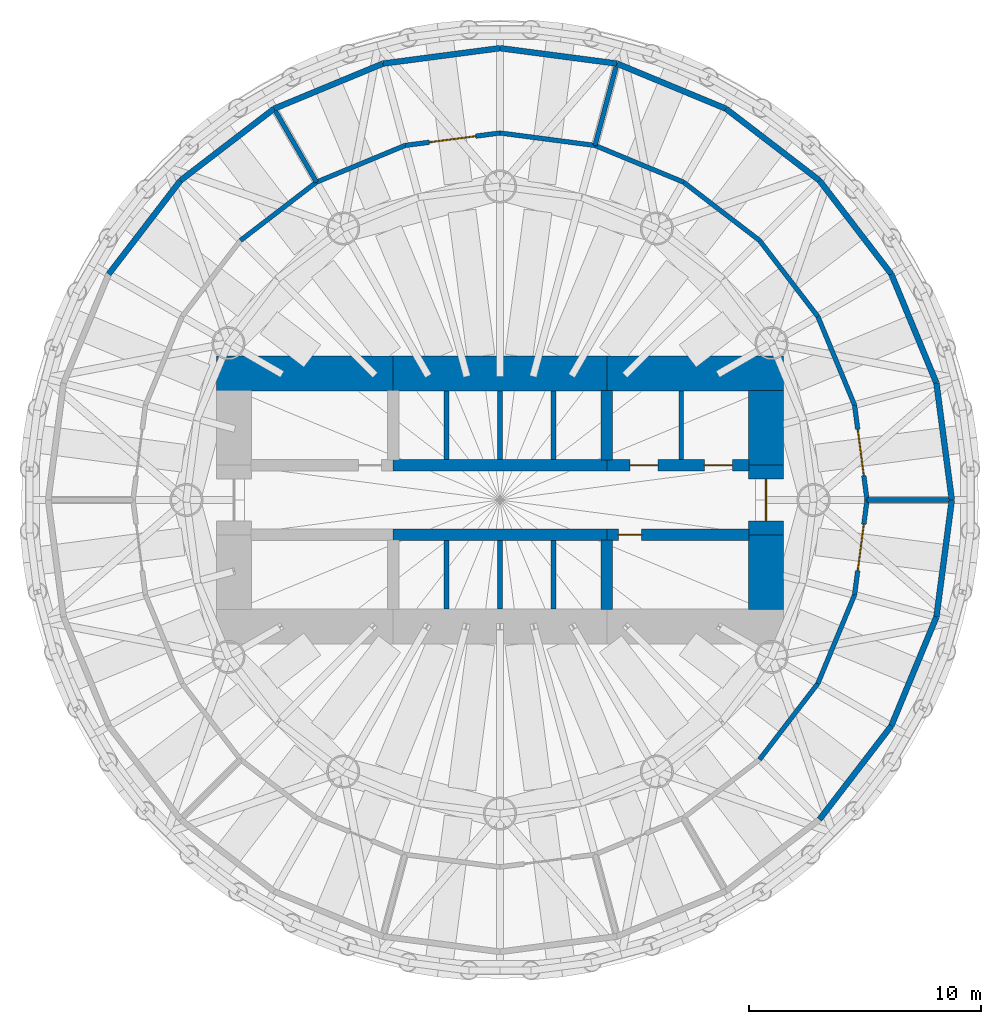
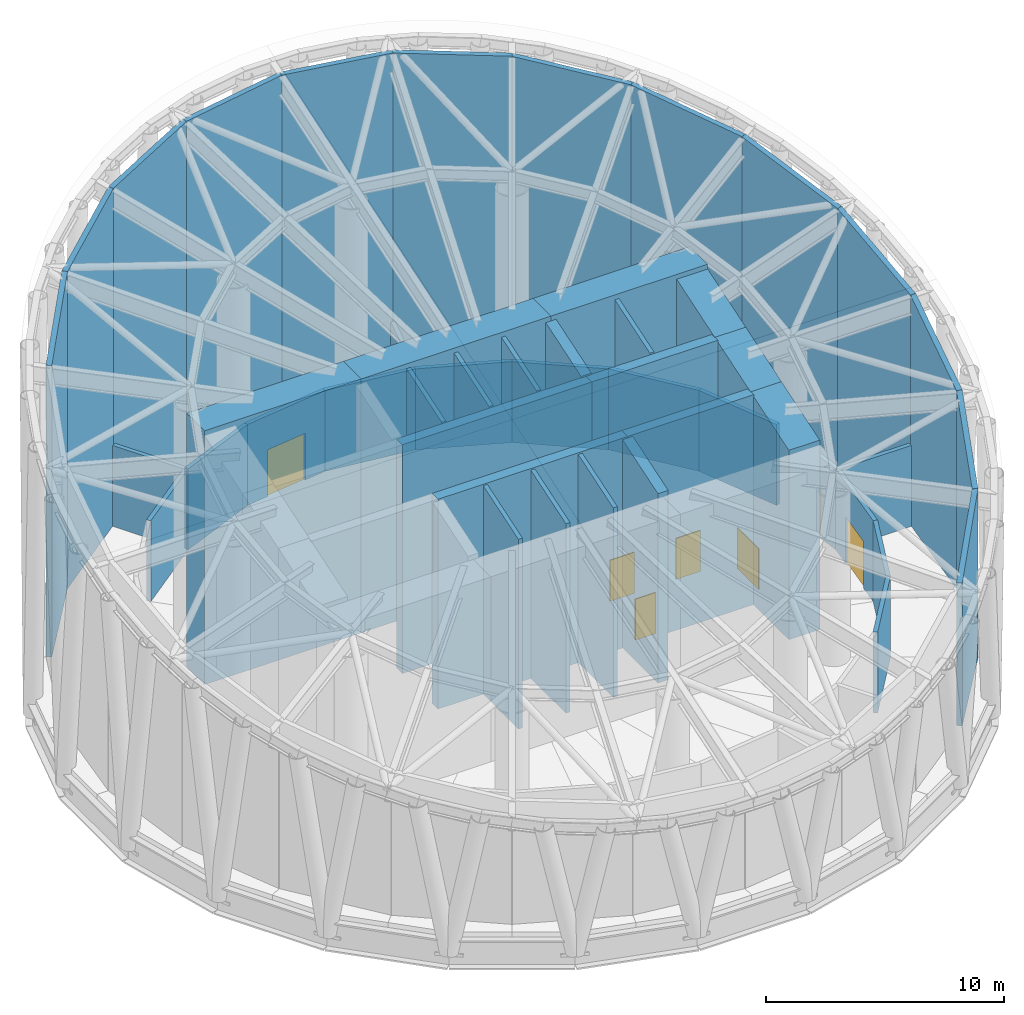
# One storey, part 8 of 9: 47 walls, 7 doors, 7 openings.
"""IFC4 building model written with IfcOpenShell, lengths in metres."""

from ifc_helpers import new_model, si_unit, direction, frame, frame_2d, origin, place, context, subcontext, project, spatial, polyline, rectangle, outline, extrude, material, layer, layer_set, type_object, element, fill, save


model = new_model("IFC4")

# Units and contexts
model_context = context("Model", 3, precision=1e-05, world=origin(), true_north=direction((0.0, 1.0)))
body_context = subcontext(model_context, "Body", "Model", "MODEL_VIEW")
ifc_project = project(units=[si_unit("LENGTHUNIT", "METRE"), si_unit("AREAUNIT", "SQUARE_METRE"), si_unit("VOLUMEUNIT", "CUBIC_METRE"), si_unit("PLANEANGLEUNIT", "RADIAN"), si_unit("MASSUNIT", "GRAM", prefix="KILO")], contexts=[model_context])

# Site, building, storey
site_placement = place(None, origin())
site = spatial("IfcSite", under=ifc_project, at=site_placement, CompositionType="ELEMENT")
building_placement = place(site_placement, origin())
building = spatial("IfcBuilding", under=site, at=building_placement, Name="Qaws Media Tower", CompositionType="ELEMENT")
storey_placement = place(building_placement, frame((0.0, 0.0, 286.39990234375)))
storey = spatial("IfcBuildingStorey", under=building, at=storey_placement, Name="L66", CompositionType="ELEMENT", Elevation=286.39990234375)

# Wall
ifc_material_1 = material(Name="Concrete C60/75", Category="concrete")
ifc_layer_1 = layer(ifc_material_1, 0.5)
ifc_layer_set_1 = layer_set([ifc_layer_1], Name="Core inner wall 500")
wall_type_1 = type_object("IfcWallType", Name="Core inner wall 500", PredefinedType="SHEAR", material=ifc_layer_set_1)
wall_1_placement = place(storey_placement, frame((55.39990234375, 51.5, 0.0), z_axis=(0.0, 0.0, 1.0), x_axis=(1.0, 0.0, 0.0)))
element("IfcWall", 1, at=wall_1_placement, inside=storey, type_object=wall_type_1, Name="W358 SW12 core wall SPN L66", PredefinedType="SHEAR", context=body_context, shape_type="SweptSolid", body=[
    extrude(outline(polyline([(0.0, 0.0), (9.2001953125, 0.0), (9.199951171875, 11.7333984375), (0.0, 11.7333984375), (0.0, 0.0)])), frame((0.0, 0.25, 0.0), z_axis=(0.0, -1.0, 0.0), x_axis=(1.0, 0.0, 0.0)), (0.0, 0.0, 1.0), 0.5),
])

# Wall, openings, doors
wall_2_placement = place(storey_placement, frame((64.60009765625, 51.5, 0.0), z_axis=(0.0, 0.0, 1.0), x_axis=(1.0, 0.0, 0.0)))
wall_2 = element("IfcWall", 2, at=wall_2_placement, inside=storey, type_object=wall_type_1, Name="W362 SW12 core wall SPNE L66", PredefinedType="SHEAR", context=body_context, shape_type="SweptSolid", body=[
    extrude(outline(polyline([(0.0, 0.0), (6.119873046875, 0.0), (6.1201171875, 11.7333984375), (0.0, 11.7333984375), (0.0, 0.0)])), frame((0.0, 0.25, 0.0), z_axis=(0.0, -1.0, 0.0), x_axis=(1.0, 0.0, 0.0)), (0.0, 0.0, 1.0), 0.5),
])
opening_1_placement = place(wall_2_placement, frame((1.0, 0.0, 0.0)))
opening_1 = element("IfcOpeningElement", 3, at=opening_1_placement, cuts=wall_2, Name="Opening LD2", PredefinedType="OPENING", context=body_context, shape_type="SweptSolid", body=[
    extrude(rectangle(XDim=1.199951171875, YDim=2.10009765625, at=frame_2d((0.60009765625, 1.050048828125))), frame((0.0, 0.260009765625, 0.0), z_axis=(0.0, -1.0, 0.0), x_axis=(1.0, 0.0, 0.0)), (0.0, 0.0, 1.0), 0.52001953125),
])
opening_2_placement = place(wall_2_placement, frame((4.199951171875, 0.0, 0.0)))
opening_2 = element("IfcOpeningElement", 4, at=opening_2_placement, cuts=wall_2, Name="Opening LD2", PredefinedType="OPENING", context=body_context, shape_type="SweptSolid", body=[
    extrude(rectangle(XDim=1.199951171875, YDim=2.10009765625, at=frame_2d((0.60009765625, 1.050048828125))), frame((0.0, 0.260009765625, 0.0), z_axis=(0.0, -1.0, 0.0), x_axis=(1.0, 0.0, 0.0)), (0.0, 0.0, 1.0), 0.52001953125),
])
ifc_material_2 = material(Name="Steel, fire rated", Category="steel")
door_type_1 = type_object("IfcDoorType", Name="Lift landing door 1200", OperationType="SLIDING_TO_LEFT", PredefinedType="DOOR", material=ifc_material_2)
door_1_placement = place(opening_1_placement, origin())
door_1 = element("IfcDoor", 5, at=door_1_placement, inside=storey, type_object=door_type_1, Name="FL1 landing door L66 in wall W362", OperationType="SLIDING_TO_LEFT", OverallHeight=2.10009765625, OverallWidth=1.199951171875, PredefinedType="DOOR", context=body_context, shape_type="SweptSolid", body=[
    extrude(rectangle(XDim=1.199951171875, YDim=2.10009765625, at=frame_2d((0.60009765625, 1.050048828125))), frame((0.0, 0.02490234375, 0.0), z_axis=(0.0, -1.0, 0.0), x_axis=(1.0, 0.0, 0.0)), (0.0, 0.0, 1.0), 0.050048828125),
])
fill(opening_1, door_1)
door_2_placement = place(opening_2_placement, origin())
door_2 = element("IfcDoor", 6, at=door_2_placement, inside=storey, type_object=door_type_1, Name="FL2 landing door L66 in wall W362", OperationType="SLIDING_TO_LEFT", OverallHeight=2.10009765625, OverallWidth=1.199951171875, PredefinedType="DOOR", context=body_context, shape_type="SweptSolid", body=[
    extrude(rectangle(XDim=1.199951171875, YDim=2.10009765625, at=frame_2d((0.60009765625, 1.050048828125))), frame((0.0, 0.02490234375, 0.0), z_axis=(0.0, -1.0, 0.0), x_axis=(1.0, 0.0, 0.0)), (0.0, 0.0, 1.0), 0.050048828125),
])
fill(opening_2, door_2)

# Wall
wall_3_placement = place(storey_placement, frame((55.39990234375, 48.5, 0.0), z_axis=(0.0, 0.0, 1.0), x_axis=(1.0, 0.0, 0.0)))
element("IfcWall", 7, at=wall_3_placement, inside=storey, type_object=wall_type_1, Name="W357 SW12 core wall SPS L66", PredefinedType="SHEAR", context=body_context, shape_type="SweptSolid", body=[
    extrude(outline(polyline([(0.0, 0.0), (9.2001953125, 0.0), (9.199951171875, 10.758544921875), (0.0, 10.758544921875), (0.0, 0.0)])), frame((0.0, 0.25, 0.0), z_axis=(0.0, -1.0, 0.0), x_axis=(1.0, 0.0, 0.0)), (0.0, 0.0, 1.0), 0.5),
])

# Wall, opening, door
wall_4_placement = place(storey_placement, frame((64.60009765625, 48.5, 0.0), z_axis=(0.0, 0.0, 1.0), x_axis=(1.0, 0.0, 0.0)))
wall_4 = element("IfcWall", 8, at=wall_4_placement, inside=storey, type_object=wall_type_1, Name="W361 SW12 core wall SPSE L66", PredefinedType="SHEAR", context=body_context, shape_type="SweptSolid", body=[
    extrude(outline(polyline([(0.0, 0.0), (6.119873046875, 0.0), (6.1201171875, 10.758544921875), (0.0, 10.758544921875), (0.0, 0.0)])), frame((0.0, 0.25, 0.0), z_axis=(0.0, -1.0, 0.0), x_axis=(1.0, 0.0, 0.0)), (0.0, 0.0, 1.0), 0.5),
])
opening_3_placement = place(wall_4_placement, frame((0.5, 0.0, 0.0)))
opening_3 = element("IfcOpeningElement", 9, at=opening_3_placement, cuts=wall_4, Name="Opening D1", PredefinedType="OPENING", context=body_context, shape_type="SweptSolid", body=[
    extrude(rectangle(XDim=1.0, YDim=2.10009765625, at=frame_2d((0.5, 1.050048828125))), frame((0.0, 0.260009765625, 0.0), z_axis=(0.0, -1.0, 0.0), x_axis=(1.0, 0.0, 0.0)), (0.0, 0.0, 1.0), 0.52001953125),
])
ifc_material_3 = material(Name="Steel, fire rated", Category="steel")
door_type_2 = type_object("IfcDoorType", Name="Stair door 1000 FD120", OperationType="SINGLE_SWING_LEFT", PredefinedType="DOOR", material=ifc_material_3)
door_3_placement = place(opening_3_placement, origin())
door_3 = element("IfcDoor", 10, at=door_3_placement, inside=storey, type_object=door_type_2, Name="D1 stair S2 door L66 in wall W361", OperationType="SINGLE_SWING_LEFT", OverallHeight=2.10009765625, OverallWidth=1.0, PredefinedType="DOOR", context=body_context, shape_type="SweptSolid", body=[
    extrude(rectangle(XDim=1.0, YDim=2.10009765625, at=frame_2d((0.5, 1.050048828125))), frame((0.0, 0.02490234375, 0.0), z_axis=(0.0, -1.0, 0.0), x_axis=(1.0, 0.0, 0.0)), (0.0, 0.0, 1.0), 0.050048828125),
])
fill(opening_3, door_3)

# Walls
wall_5_placement = place(storey_placement, frame((64.60009765625, 51.72998046875, 0.0), z_axis=(0.0, 0.0, 1.0), x_axis=(0.0, 1.0, 0.0)))
element("IfcWall", 11, at=wall_5_placement, inside=storey, type_object=wall_type_1, Name="W363 SW12 core wall XNE L66", PredefinedType="SHEAR", context=body_context, shape_type="SweptSolid", body=[
    extrude(outline(polyline([(0.0, 0.0), (2.989990234375, 0.0), (2.989990234375, 12.779541015625), (0.0, 11.80810546875), (0.0, 0.0)])), frame((0.0, 0.25, 0.0), z_axis=(0.0, -1.0, 0.0), x_axis=(1.0, 0.0, 0.0)), (0.0, 0.0, 1.0), 0.5),
])
wall_6_placement = place(storey_placement, frame((64.60009765625, 48.27001953125, 0.0), z_axis=(0.0, 0.0, 1.0), x_axis=(0.0, -1.0, 0.0)))
element("IfcWall", 12, at=wall_6_placement, inside=storey, type_object=wall_type_1, Name="W360 SW12 core wall XSE L66", PredefinedType="SHEAR", context=body_context, shape_type="SweptSolid", body=[
    extrude(outline(polyline([(0.0, 0.0), (2.989990234375, 0.0), (2.989990234375, 9.71240234375), (0.0, 10.683837890625), (0.0, 0.0)])), frame((0.0, 0.25, 0.0), z_axis=(0.0, -1.0, 0.0), x_axis=(1.0, 0.0, 0.0)), (0.0, 0.0, 1.0), 0.5),
])
ifc_material_4 = material(Name="Concrete C60/75", Category="concrete")
ifc_layer_2 = layer(ifc_material_4, 1.5)
ifc_layer_set_2 = layer_set([ifc_layer_2], Name="Core wall 1500")
wall_type_2 = type_object("IfcWallType", Name="Core wall 1500", PredefinedType="SHEAR", material=ifc_layer_set_2)
wall_7_placement = place(storey_placement, frame((47.800048828125, 55.449951171875, 0.0), z_axis=(0.0, 0.0, 1.0), x_axis=(1.0, 0.0, 0.0)))
element("IfcWall", 13, at=wall_7_placement, inside=storey, type_object=wall_type_2, Name="W387 SW13 core wall NW L66", PredefinedType="SHEAR", context=body_context, shape_type="SweptSolid", body=[
    extrude(outline(polyline([(0.0, 0.0), (7.599853515625, 0.0), (7.60009765625, 13.016845703125), (0.0, 13.016845703125), (0.0, 0.0)])), frame((0.0, 0.75, 0.0), z_axis=(0.0, -1.0, 0.0), x_axis=(1.0, 0.0, 0.0)), (0.0, 0.0, 1.0), 1.5),
])
wall_8_placement = place(storey_placement, frame((55.39990234375, 55.449951171875, 0.0), z_axis=(0.0, 0.0, 1.0), x_axis=(1.0, 0.0, 0.0)))
element("IfcWall", 14, at=wall_8_placement, inside=storey, type_object=wall_type_2, Name="W392 SW13 core wall N L66", PredefinedType="SHEAR", context=body_context, shape_type="SweptSolid", body=[
    extrude(outline(polyline([(0.0, 0.0), (9.2001953125, 0.0), (9.199951171875, 13.016845703125), (0.0, 13.016845703125), (0.0, 0.0)])), frame((0.0, 0.75, 0.0), z_axis=(0.0, -1.0, 0.0), x_axis=(1.0, 0.0, 0.0)), (0.0, 0.0, 1.0), 1.5),
])
wall_9_placement = place(storey_placement, frame((64.60009765625, 55.449951171875, 0.0), z_axis=(0.0, 0.0, 1.0), x_axis=(1.0, 0.0, 0.0)))
element("IfcWall", 15, at=wall_9_placement, inside=storey, type_object=wall_type_2, Name="W394 SW13 core wall NE L66", PredefinedType="SHEAR", context=body_context, shape_type="SweptSolid", body=[
    extrude(outline(polyline([(0.0, 0.0), (7.599853515625, 0.0), (7.60009765625, 13.016845703125), (0.0, 13.016845703125), (0.0, 0.0)])), frame((0.0, 0.75, 0.0), z_axis=(0.0, -1.0, 0.0), x_axis=(1.0, 0.0, 0.0)), (0.0, 0.0, 1.0), 1.5),
])
wall_10_placement = place(storey_placement, frame((71.449951171875, 45.280029296875, 0.0), z_axis=(0.0, 0.0, 1.0), x_axis=(0.0, 1.0, 0.0)))
element("IfcWall", 16, at=wall_10_placement, inside=storey, type_object=wall_type_2, Name="W395 SW13 core wall ES L66", PredefinedType="SHEAR", context=body_context, shape_type="SweptSolid", body=[
    extrude(outline(polyline([(0.0, 0.0), (3.219970703125, 0.0), (3.219970703125, 10.758544921875), (0.0, 9.71240234375), (0.0, 0.0)])), frame((0.0, 0.75, 0.0), z_axis=(0.0, -1.0, 0.0), x_axis=(1.0, 0.0, 0.0)), (0.0, 0.0, 1.0), 1.5),
])

# Wall, opening, door
wall_11_placement = place(storey_placement, frame((71.449951171875, 48.5, 0.0), z_axis=(0.0, 0.0, 1.0), x_axis=(0.0, 1.0, 0.0)))
wall_11 = element("IfcWall", 17, at=wall_11_placement, inside=storey, type_object=wall_type_2, Name="W396 SW13 core wall E L66", PredefinedType="SHEAR", context=body_context, shape_type="SweptSolid", body=[
    extrude(outline(polyline([(0.0, 0.0), (3.0, 0.0), (3.0, 11.7333984375), (0.0, 10.758544921875), (0.0, 0.0)])), frame((0.0, 0.75, 0.0), z_axis=(0.0, -1.0, 0.0), x_axis=(1.0, 0.0, 0.0)), (0.0, 0.0, 1.0), 1.5),
])
opening_4_placement = place(wall_11_placement, frame((0.60009765625, 0.0, 0.0)))
opening_4 = element("IfcOpeningElement", 18, at=opening_4_placement, cuts=wall_11, Name="Opening D2", PredefinedType="OPENING", context=body_context, shape_type="SweptSolid", body=[
    extrude(rectangle(XDim=1.800048828125, YDim=2.10009765625, at=frame_2d((0.89990234375, 1.050048828125))), frame((0.0, 0.760009765625, 0.0), z_axis=(0.0, -1.0, 0.0), x_axis=(1.0, 0.0, 0.0)), (0.0, 0.0, 1.0), 1.52001953125),
])
ifc_material_5 = material(Name="Steel and glass, fire rated", Category="steel")
door_type_3 = type_object("IfcDoorType", Name="Lobby door pair 1800 FD60", OperationType="DOUBLE_DOOR_DOUBLE_SWING", PredefinedType="DOOR", material=ifc_material_5)
door_4_placement = place(opening_4_placement, origin())
door_4 = element("IfcDoor", 19, at=door_4_placement, inside=storey, type_object=door_type_3, Name="D2 core lobby door E L66 in wall W396", OperationType="DOUBLE_DOOR_DOUBLE_SWING", OverallHeight=2.10009765625, OverallWidth=1.800048828125, PredefinedType="DOOR", context=body_context, shape_type="SweptSolid", body=[
    extrude(rectangle(XDim=1.800048828125, YDim=2.10009765625, at=frame_2d((0.89990234375, 1.050048828125))), frame((0.0, 0.02490234375, 0.0), z_axis=(0.0, -1.0, 0.0), x_axis=(1.0, 0.0, 0.0)), (0.0, 0.0, 1.0), 0.050048828125),
])
fill(opening_4, door_4)

# Walls
wall_12_placement = place(storey_placement, frame((71.449951171875, 51.5, 0.0), z_axis=(0.0, 0.0, 1.0), x_axis=(0.0, 1.0, 0.0)))
element("IfcWall", 20, at=wall_12_placement, inside=storey, type_object=wall_type_2, Name="W397 SW13 core wall EN L66", PredefinedType="SHEAR", context=body_context, shape_type="SweptSolid", body=[
    extrude(outline(polyline([(0.0, 0.0), (3.219970703125, 0.0), (3.219970703125, 12.779541015625), (0.0, 11.7333984375), (0.0, 0.0)])), frame((0.0, 0.75, 0.0), z_axis=(0.0, -1.0, 0.0), x_axis=(1.0, 0.0, 0.0)), (0.0, 0.0, 1.0), 1.5),
])
ifc_material_6 = material(Name="Precast concrete louvre panels", Category="concrete")
ifc_layer_3 = layer(ifc_material_6, 0.25)
ifc_layer_set_3 = layer_set([ifc_layer_3], Name="Crown louvre wall 250")
wall_type_3 = type_object("IfcWallType", Name="Crown louvre wall 250", PredefinedType="SOLIDWALL", material=ifc_layer_set_3)
wall_13_placement = place(storey_placement, frame((79.449951171875, 50.0, 0.0), z_axis=(0.0, 0.0, 1.0), x_axis=(-0.130500534482, 0.991448238941, 0.0)))
element("IfcWall", 21, at=wall_13_placement, inside=storey, type_object=wall_type_3, Name="W513 EW3 crown louvre wall 01", PredefinedType="SOLIDWALL", context=body_context, shape_type="SweptSolid", body=[
    extrude(outline(polyline([(0.0, 0.0), (5.077392578125, 0.0), (5.077392578125, 13.431640625), (0.0, 11.7958984375), (0.0, 0.0)])), frame((0.0, 0.125, 0.0), z_axis=(0.0, -1.0, 0.0), x_axis=(1.0, 0.0, 0.0)), (0.0, 0.0, 1.0), 0.25),
])
wall_14_placement = place(storey_placement, frame((78.787353515625, 55.033935546875, 0.0), z_axis=(0.0, 0.0, 1.0), x_axis=(-0.382678770184, 0.923881463636, 0.0)))
element("IfcWall", 22, at=wall_14_placement, inside=storey, type_object=wall_type_3, Name="W512 EW3 crown louvre wall 02", PredefinedType="SOLIDWALL", context=body_context, shape_type="SweptSolid", body=[
    extrude(outline(polyline([(0.0, 0.0), (5.07763671875, 0.0), (5.077392578125, 14.955810546875), (0.0, 13.431640625), (0.0, 0.0)])), frame((0.0, 0.125, 0.0), z_axis=(0.0, -1.0, 0.0), x_axis=(1.0, 0.0, 0.0)), (0.0, 0.0, 1.0), 0.25),
])
wall_15_placement = place(storey_placement, frame((76.84423828125, 59.72509765625, 0.0), z_axis=(0.0, 0.0, 1.0), x_axis=(-0.608787819946, 0.793333089115, 0.0)))
element("IfcWall", 23, at=wall_15_placement, inside=storey, type_object=wall_type_3, Name="W510 EW3 crown louvre wall 03", PredefinedType="SOLIDWALL", context=body_context, shape_type="SweptSolid", body=[
    extrude(outline(polyline([(0.0, 0.0), (5.077392578125, 0.0), (5.077392578125, 16.2646484375), (0.0, 14.955810546875), (0.0, 0.0)])), frame((0.0, 0.125, 0.0), z_axis=(0.0, -1.0, 0.0), x_axis=(1.0, 0.0, 0.0)), (0.0, 0.0, 1.0), 0.25),
])
wall_16_placement = place(storey_placement, frame((73.753173828125, 63.753173828125, 0.0), z_axis=(0.0, 0.0, 1.0), x_axis=(-0.793333089115, 0.608787819946, 0.0)))
element("IfcWall", 24, at=wall_16_placement, inside=storey, type_object=wall_type_3, Name="W508 EW3 crown louvre wall 04", PredefinedType="SOLIDWALL", context=body_context, shape_type="SweptSolid", body=[
    extrude(outline(polyline([(0.0, 0.0), (5.077392578125, 0.0), (5.077392578125, 17.26904296875), (0.0, 16.2646484375), (0.0, 0.0)])), frame((0.0, 0.125, 0.0), z_axis=(0.0, -1.0, 0.0), x_axis=(1.0, 0.0, 0.0)), (0.0, 0.0, 1.0), 0.25),
])
wall_17_placement = place(storey_placement, frame((69.72509765625, 66.84423828125, 0.0), z_axis=(0.0, 0.0, 1.0), x_axis=(-0.923881463636, 0.382678770184, 0.0)))
element("IfcWall", 25, at=wall_17_placement, inside=storey, type_object=wall_type_3, Name="W506 EW3 crown louvre wall 05", PredefinedType="SOLIDWALL", context=body_context, shape_type="SweptSolid", body=[
    extrude(outline(polyline([(0.0, 0.0), (5.07763671875, 0.0), (5.077392578125, 17.900390625), (0.0, 17.26904296875), (0.0, 0.0)])), frame((0.0, 0.125, 0.0), z_axis=(0.0, -1.0, 0.0), x_axis=(1.0, 0.0, 0.0)), (0.0, 0.0, 1.0), 0.25),
])
wall_18_placement = place(storey_placement, frame((65.033935546875, 68.787353515625, 0.0), z_axis=(0.0, 0.0, 1.0), x_axis=(-0.991448238941, 0.130500534482, 0.0)))
element("IfcWall", 26, at=wall_18_placement, inside=storey, type_object=wall_type_3, Name="W504 EW3 crown louvre wall 06", PredefinedType="SOLIDWALL", context=body_context, shape_type="SweptSolid", body=[
    extrude(outline(polyline([(0.0, 0.0), (5.077392578125, 0.0), (5.077392578125, 18.11572265625), (0.0, 17.900390625), (0.0, 0.0)])), frame((0.0, 0.125, 0.0), z_axis=(0.0, -1.0, 0.0), x_axis=(1.0, 0.0, 0.0)), (0.0, 0.0, 1.0), 0.25),
])
wall_19_placement = place(storey_placement, frame((60.0, 69.449951171875, 0.0), z_axis=(0.0, 0.0, 1.0), x_axis=(-0.991448238941, -0.130500534482, 0.0)))
element("IfcWall", 27, at=wall_19_placement, inside=storey, type_object=wall_type_3, Name="W502 EW3 crown louvre wall 07", PredefinedType="SOLIDWALL", context=body_context, shape_type="SweptSolid", body=[
    extrude(outline(polyline([(0.0, 0.0), (5.077392578125, 0.0), (5.077392578125, 17.900390625), (0.0, 18.11572265625), (0.0, 0.0)])), frame((0.0, 0.125, 0.0), z_axis=(0.0, -1.0, 0.0), x_axis=(1.0, 0.0, 0.0)), (0.0, 0.0, 1.0), 0.25),
])
wall_20_placement = place(storey_placement, frame((54.966064453125, 68.787353515625, 0.0), z_axis=(0.0, 0.0, 1.0), x_axis=(-0.923881463636, -0.382678770184, 0.0)))
element("IfcWall", 28, at=wall_20_placement, inside=storey, type_object=wall_type_3, Name="W500 EW3 crown louvre wall 08", PredefinedType="SOLIDWALL", context=body_context, shape_type="SweptSolid", body=[
    extrude(outline(polyline([(0.0, 0.0), (5.07763671875, 0.0), (5.077392578125, 17.26904296875), (0.0, 17.900390625), (0.0, 0.0)])), frame((0.0, 0.125, 0.0), z_axis=(0.0, -1.0, 0.0), x_axis=(1.0, 0.0, 0.0)), (0.0, 0.0, 1.0), 0.25),
])
wall_21_placement = place(storey_placement, frame((50.27490234375, 66.84423828125, 0.0), z_axis=(0.0, 0.0, 1.0), x_axis=(-0.793333089115, -0.608787819946, 0.0)))
element("IfcWall", 29, at=wall_21_placement, inside=storey, type_object=wall_type_3, Name="W498 EW3 crown louvre wall 09", PredefinedType="SOLIDWALL", context=body_context, shape_type="SweptSolid", body=[
    extrude(outline(polyline([(0.0, 0.0), (5.077392578125, 0.0), (5.077392578125, 16.2646484375), (0.0, 17.26904296875), (0.0, 0.0)])), frame((0.0, 0.125, 0.0), z_axis=(0.0, -1.0, 0.0), x_axis=(1.0, 0.0, 0.0)), (0.0, 0.0, 1.0), 0.25),
])
wall_22_placement = place(storey_placement, frame((46.246826171875, 63.753173828125, 0.0), z_axis=(0.0, 0.0, 1.0), x_axis=(-0.608787819946, -0.793333089115, 0.0)))
element("IfcWall", 30, at=wall_22_placement, inside=storey, type_object=wall_type_3, Name="W496 EW3 crown louvre wall 10", PredefinedType="SOLIDWALL", context=body_context, shape_type="SweptSolid", body=[
    extrude(outline(polyline([(0.0, 0.0), (5.077392578125, 0.0), (5.077392578125, 14.955810546875), (0.0, 16.2646484375), (0.0, 0.0)])), frame((0.0, 0.125, 0.0), z_axis=(0.0, -1.0, 0.0), x_axis=(1.0, 0.0, 0.0)), (0.0, 0.0, 1.0), 0.25),
])
wall_23_placement = place(storey_placement, frame((73.753173828125, 36.246826171875, 0.0), z_axis=(0.0, 0.0, 1.0), x_axis=(0.608787819946, 0.793333089115, 0.0)))
element("IfcWall", 31, at=wall_23_placement, inside=storey, type_object=wall_type_3, Name="W507 EW3 crown louvre wall 22", PredefinedType="SOLIDWALL", context=body_context, shape_type="SweptSolid", body=[
    extrude(outline(polyline([(0.0, 0.0), (5.077392578125, 0.0), (5.077392578125, 8.63623046875), (0.0, 7.327392578125), (0.0, 0.0)])), frame((0.0, 0.125, 0.0), z_axis=(0.0, -1.0, 0.0), x_axis=(1.0, 0.0, 0.0)), (0.0, 0.0, 1.0), 0.25),
])
wall_24_placement = place(storey_placement, frame((76.84423828125, 40.27490234375, 0.0), z_axis=(0.0, 0.0, 1.0), x_axis=(0.382678770184, 0.923881463636, 0.0)))
element("IfcWall", 32, at=wall_24_placement, inside=storey, type_object=wall_type_3, Name="W509 EW3 crown louvre wall 23", PredefinedType="SOLIDWALL", context=body_context, shape_type="SweptSolid", body=[
    extrude(outline(polyline([(0.0, 0.0), (5.07763671875, 0.0), (5.077392578125, 10.160400390625), (0.0, 8.63623046875), (0.0, 0.0)])), frame((0.0, 0.125, 0.0), z_axis=(0.0, -1.0, 0.0), x_axis=(1.0, 0.0, 0.0)), (0.0, 0.0, 1.0), 0.25),
])
wall_25_placement = place(storey_placement, frame((78.787353515625, 44.966064453125, 0.0), z_axis=(0.0, 0.0, 1.0), x_axis=(0.130500534482, 0.991448238941, 0.0)))
element("IfcWall", 33, at=wall_25_placement, inside=storey, type_object=wall_type_3, Name="W511 EW3 crown louvre wall 24", PredefinedType="SOLIDWALL", context=body_context, shape_type="SweptSolid", body=[
    extrude(outline(polyline([(0.0, 0.0), (5.077392578125, 0.0), (5.077392578125, 11.7958984375), (0.0, 10.160400390625), (0.0, 0.0)])), frame((0.0, 0.125, 0.0), z_axis=(0.0, -1.0, 0.0), x_axis=(1.0, 0.0, 0.0)), (0.0, 0.0, 1.0), 0.25),
])
ifc_material_7 = material(Name="Gypsum board on galvanised metal studs, acoustic double stud, deflection head", Category="gypsum")
ifc_layer_4 = layer(ifc_material_7, 0.199951171875)
ifc_layer_set_4 = layer_set([ifc_layer_4], Name="Room partition 200")
wall_type_4 = type_object("IfcWallType", Name="Room partition 200", PredefinedType="PARTITIONING", material=ifc_layer_set_4)
wall_26_placement = place(storey_placement, frame((48.82763671875, 61.17236328125, 0.0), z_axis=(0.0, 0.0, 1.0), x_axis=(0.793389099494, 0.608714823874, 0.0)))
element("IfcWall", 34, at=wall_26_placement, inside=storey, type_object=wall_type_4, Name="W1811 IW3 partition L66", PredefinedType="PARTITIONING", context=body_context, shape_type="SweptSolid", body=[
    extrude(rectangle(XDim=4.124755859375, YDim=0.199951171875, at=frame_2d((2.0625, 0.0))), origin(), (0.0, 0.0, 1.0), 4.150146484375),
])
wall_27_placement = place(storey_placement, frame((52.10009765625, 63.68310546875, 0.0), z_axis=(0.0, 0.0, 1.0), x_axis=(0.923859551549, 0.382731667114, 0.0)))
element("IfcWall", 35, at=wall_27_placement, inside=storey, type_object=wall_type_4, Name="W1814 IW3 partition L66", PredefinedType="PARTITIONING", context=body_context, shape_type="SweptSolid", body=[
    extrude(rectangle(XDim=4.12451171875, YDim=0.199951171875, at=frame_2d((2.062255859375, 0.0))), origin(), (0.0, 0.0, 1.0), 4.150146484375),
])

# Wall, opening, door
wall_28_placement = place(storey_placement, frame((55.91064453125, 65.26171875, 0.0), z_axis=(0.0, 0.0, 1.0), x_axis=(0.991446234996, 0.130515758099, 0.0)))
wall_28 = element("IfcWall", 36, at=wall_28_placement, inside=storey, type_object=wall_type_4, Name="W1817 IW3 partition L66", PredefinedType="PARTITIONING", context=body_context, shape_type="SweptSolid", body=[
    extrude(rectangle(XDim=4.124755859375, YDim=0.199951171875, at=frame_2d((2.0625, 0.0))), origin(), (0.0, 0.0, 1.0), 4.150146484375),
])
opening_5_placement = place(wall_28_placement, frame((1.062255859375, 0.0, 0.0)))
opening_5 = element("IfcOpeningElement", 37, at=opening_5_placement, cuts=wall_28, Name="Opening D19", PredefinedType="OPENING", context=body_context, shape_type="SweptSolid", body=[
    extrude(rectangle(XDim=2.0, YDim=2.39990234375, at=frame_2d((1.0, 1.199951171875))), frame((0.0, 0.10986328125, 0.0), z_axis=(0.0, -1.0, 0.0), x_axis=(1.0, 0.0, 0.0)), (0.0, 0.0, 1.0), 0.219970703125),
])
ifc_material_8 = material(Name="Steel, fire rated, louvred", Category="steel")
door_type_4 = type_object("IfcDoorType", Name="Plant room door pair 2000x2400", OperationType="DOUBLE_DOOR_DOUBLE_SWING", PredefinedType="DOOR", material=ifc_material_8)
door_5_placement = place(opening_5_placement, origin())
door_5 = element("IfcDoor", 38, at=door_5_placement, inside=storey, type_object=door_type_4, Name="D19 Lift machine plant room door L66 in wall W1817", OperationType="DOUBLE_DOOR_DOUBLE_SWING", OverallHeight=2.39990234375, OverallWidth=2.0, PredefinedType="DOOR", context=body_context, shape_type="SweptSolid", body=[
    extrude(rectangle(XDim=2.0, YDim=2.39990234375, at=frame_2d((1.0, 1.199951171875))), frame((0.0, 0.02490234375, 0.0), z_axis=(0.0, -1.0, 0.0), x_axis=(1.0, 0.0, 0.0)), (0.0, 0.0, 1.0), 0.050048828125),
])
fill(opening_5, door_5)

# Walls
wall_29_placement = place(storey_placement, frame((60.0, 65.800048828125, 0.0), z_axis=(0.0, 0.0, 1.0), x_axis=(0.991446234996, -0.130515758099, 0.0)))
element("IfcWall", 39, at=wall_29_placement, inside=storey, type_object=wall_type_4, Name="W1819 IW3 partition L66", PredefinedType="PARTITIONING", context=body_context, shape_type="SweptSolid", body=[
    extrude(rectangle(XDim=4.124755859375, YDim=0.199951171875, at=frame_2d((2.0625, 0.0))), origin(), (0.0, 0.0, 1.0), 4.150146484375),
])
wall_30_placement = place(storey_placement, frame((64.08935546875, 65.26171875, 0.0), z_axis=(0.0, 0.0, 1.0), x_axis=(0.923859551549, -0.382731667114, 0.0)))
element("IfcWall", 40, at=wall_30_placement, inside=storey, type_object=wall_type_4, Name="W1823 IW3 partition L66", PredefinedType="PARTITIONING", context=body_context, shape_type="SweptSolid", body=[
    extrude(rectangle(XDim=4.12451171875, YDim=0.199951171875, at=frame_2d((2.062255859375, 0.0))), origin(), (0.0, 0.0, 1.0), 4.150146484375),
])
for number, where, z_axis, x_axis, name in (
    (41, (67.89990234375, 63.68310546875, 0.0), (0.0, 0.0, 1.0), (0.793389099494, -0.608714823874, 0.0), "W1826 IW3 partition L66"),
    (42, (71.17236328125, 61.17236328125, 0.0), (0.0, 0.0, 1.0), (0.608714823874, -0.793389099494, 0.0), "W1828 IW3 partition L66"),
):
    element("IfcWall", number, at=place(storey_placement, frame(where, z_axis=z_axis, x_axis=x_axis)), inside=storey, type_object=wall_type_4, Name=name, PredefinedType="PARTITIONING", context=body_context, shape_type="SweptSolid", body=[
        extrude(rectangle(XDim=4.124755859375, YDim=0.199951171875, at=frame_2d((2.0625, 0.0))), origin(), (0.0, 0.0, 1.0), 4.150146484375),
    ])
wall_31_placement = place(storey_placement, frame((73.68310546875, 57.89990234375, 0.0), z_axis=(0.0, 0.0, 1.0), x_axis=(0.382731667114, -0.923859551549, 0.0)))
element("IfcWall", 43, at=wall_31_placement, inside=storey, type_object=wall_type_4, Name="W1830 IW3 partition L66", PredefinedType="PARTITIONING", context=body_context, shape_type="SweptSolid", body=[
    extrude(rectangle(XDim=4.12451171875, YDim=0.199951171875, at=frame_2d((2.062255859375, 0.0))), origin(), (0.0, 0.0, 1.0), 4.150146484375),
])

# Wall, opening, door
wall_32_placement = place(storey_placement, frame((75.26171875, 54.08935546875, 0.0), z_axis=(0.0, 0.0, 1.0), x_axis=(0.130515758099, -0.991446234996, 0.0)))
wall_32 = element("IfcWall", 44, at=wall_32_placement, inside=storey, type_object=wall_type_4, Name="W1832 IW3 partition L66", PredefinedType="PARTITIONING", context=body_context, shape_type="SweptSolid", body=[
    extrude(rectangle(XDim=4.124755859375, YDim=0.199951171875, at=frame_2d((2.0625, 0.0))), origin(), (0.0, 0.0, 1.0), 4.150146484375),
])
opening_6_placement = place(wall_32_placement, frame((1.062255859375, 0.0, 0.0)))
opening_6 = element("IfcOpeningElement", 45, at=opening_6_placement, cuts=wall_32, Name="Opening D19", PredefinedType="OPENING", context=body_context, shape_type="SweptSolid", body=[
    extrude(rectangle(XDim=2.0, YDim=2.39990234375, at=frame_2d((1.0, 1.199951171875))), frame((0.0, 0.10986328125, 0.0), z_axis=(0.0, -1.0, 0.0), x_axis=(1.0, 0.0, 0.0)), (0.0, 0.0, 1.0), 0.219970703125),
])
door_6_placement = place(opening_6_placement, origin())
door_6 = element("IfcDoor", 46, at=door_6_placement, inside=storey, type_object=door_type_4, Name="D19 Crown AHU plant room door L66 in wall W1832", OperationType="DOUBLE_DOOR_DOUBLE_SWING", OverallHeight=2.39990234375, OverallWidth=2.0, PredefinedType="DOOR", context=body_context, shape_type="SweptSolid", body=[
    extrude(rectangle(XDim=2.0, YDim=2.39990234375, at=frame_2d((1.0, 1.199951171875))), frame((0.0, 0.02490234375, 0.0), z_axis=(0.0, -1.0, 0.0), x_axis=(1.0, 0.0, 0.0)), (0.0, 0.0, 1.0), 0.050048828125),
])
fill(opening_6, door_6)

wall_33_placement = place(storey_placement, frame((75.800048828125, 50.0, 0.0), z_axis=(0.0, 0.0, 1.0), x_axis=(-0.130515758099, -0.991446234996, 0.0)))
wall_33 = element("IfcWall", 47, at=wall_33_placement, inside=storey, type_object=wall_type_4, Name="W1833 IW3 partition L66", PredefinedType="PARTITIONING", context=body_context, shape_type="SweptSolid", body=[
    extrude(rectangle(XDim=4.124755859375, YDim=0.199951171875, at=frame_2d((2.0625, 0.0))), origin(), (0.0, 0.0, 1.0), 4.150146484375),
])
opening_7_placement = place(wall_33_placement, frame((1.062255859375, 0.0, 0.0)))
opening_7 = element("IfcOpeningElement", 48, at=opening_7_placement, cuts=wall_33, Name="Opening D19", PredefinedType="OPENING", context=body_context, shape_type="SweptSolid", body=[
    extrude(rectangle(XDim=2.0, YDim=2.39990234375, at=frame_2d((1.0, 1.199951171875))), frame((0.0, 0.10986328125, 0.0), z_axis=(0.0, -1.0, 0.0), x_axis=(1.0, 0.0, 0.0)), (0.0, 0.0, 1.0), 0.219970703125),
])
door_7_placement = place(opening_7_placement, origin())
door_7 = element("IfcDoor", 49, at=door_7_placement, inside=storey, type_object=door_type_4, Name="D19 Crown AHU plant room door L66 in wall W1833", OperationType="DOUBLE_DOOR_DOUBLE_SWING", OverallHeight=2.39990234375, OverallWidth=2.0, PredefinedType="DOOR", context=body_context, shape_type="SweptSolid", body=[
    extrude(rectangle(XDim=2.0, YDim=2.39990234375, at=frame_2d((1.0, 1.199951171875))), frame((0.0, 0.02490234375, 0.0), z_axis=(0.0, -1.0, 0.0), x_axis=(1.0, 0.0, 0.0)), (0.0, 0.0, 1.0), 0.050048828125),
])
fill(opening_7, door_7)

# Walls
wall_34_placement = place(storey_placement, frame((75.26171875, 45.91064453125, 0.0), z_axis=(0.0, 0.0, 1.0), x_axis=(-0.382731667114, -0.923859551549, 0.0)))
element("IfcWall", 50, at=wall_34_placement, inside=storey, type_object=wall_type_4, Name="W1831 IW3 partition L66", PredefinedType="PARTITIONING", context=body_context, shape_type="SweptSolid", body=[
    extrude(rectangle(XDim=4.12451171875, YDim=0.199951171875, at=frame_2d((2.062255859375, 0.0))), origin(), (0.0, 0.0, 1.0), 4.150146484375),
])
wall_35_placement = place(storey_placement, frame((73.68310546875, 42.10009765625, 0.0), z_axis=(0.0, 0.0, 1.0), x_axis=(-0.608714823874, -0.793389099494, 0.0)))
element("IfcWall", 51, at=wall_35_placement, inside=storey, type_object=wall_type_4, Name="W1829 IW3 partition L66", PredefinedType="PARTITIONING", context=body_context, shape_type="SweptSolid", body=[
    extrude(rectangle(XDim=4.124755859375, YDim=0.199951171875, at=frame_2d((2.0625, 0.0))), origin(), (0.0, 0.0, 1.0), 4.150146484375),
])
for number, where, z_axis, x_axis, name in (
    (52, (75.800048828125, 50.0, 0.0), (0.0, 0.0, 1.0), (1.0, 0.0, 0.0), "W1834 IW3 partition L66"),
    (53, (64.08935546875, 65.26171875, 0.0), (0.0, 0.0, 1.0), (0.258841697179, 0.965919756399, 0.0), "W1822 IW3 partition L66"),
):
    element("IfcWall", number, at=place(storey_placement, frame(where, z_axis=z_axis, x_axis=x_axis)), inside=storey, type_object=wall_type_4, Name=name, PredefinedType="PARTITIONING", context=body_context, shape_type="SweptSolid", body=[
        extrude(rectangle(XDim=3.5048828125, YDim=0.199951171875, at=frame_2d((1.75244140625, 0.0))), origin(), (0.0, 0.0, 1.0), 4.150146484375),
    ])
wall_36_placement = place(storey_placement, frame((52.10009765625, 63.68310546875, 0.0), z_axis=(0.0, 0.0, 1.0), x_axis=(-0.500042005822, 0.866001150353, 0.0)))
element("IfcWall", 54, at=wall_36_placement, inside=storey, type_object=wall_type_4, Name="W1813 IW3 partition L66", PredefinedType="PARTITIONING", context=body_context, shape_type="SweptSolid", body=[
    extrude(rectangle(XDim=3.505126953125, YDim=0.199951171875, at=frame_2d((1.75244140625, 0.0))), origin(), (0.0, 0.0, 1.0), 4.150146484375),
])
ifc_material_9 = material(Name="Fire-rated gypsum board shaft wall on galvanised metal studs, deflection head", Category="gypsum")
ifc_layer_5 = layer(ifc_material_9, 0.199951171875)
ifc_layer_set_5 = layer_set([ifc_layer_5], Name="Shaft wall 200")
wall_type_5 = type_object("IfcWallType", Name="Shaft wall 200", PredefinedType="PARTITIONING", material=ifc_layer_set_5)
for number, where, z_axis, x_axis, name in (
    (55, (57.699951171875, 51.75, 0.0), (0.0, 0.0, 1.0), (0.0, 1.0, 0.0), "W1876 IW1 shaft wall N1 L66"),
    (56, (60.0, 51.75, 0.0), (0.0, 0.0, 1.0), (0.0, 1.0, 0.0), "W1878 IW1 shaft wall N2 L66"),
    (57, (62.300048828125, 51.75, 0.0), (0.0, 0.0, 1.0), (0.0, 1.0, 0.0), "W1880 IW1 shaft wall N3 L66"),
):
    element("IfcWall", number, at=place(storey_placement, frame(where, z_axis=z_axis, x_axis=x_axis)), inside=storey, type_object=wall_type_5, Name=name, PredefinedType="PARTITIONING", context=body_context, shape_type="SweptSolid", body=[
        extrude(outline(polyline([(0.0, 0.0), (2.949951171875, 0.0), (2.949951171875, 12.773193359375), (0.0, 11.814697265625), (0.0, 0.0)])), frame((0.0, 0.10009765625, 0.0), z_axis=(0.0, -1.0, 0.0), x_axis=(1.0, 0.0, 0.0)), (0.0, 0.0, 1.0), 0.199951171875),
    ])
for number, where, z_axis, x_axis, name in (
    (58, (57.699951171875, 45.300048828125, 0.0), (0.0, 0.0, 1.0), (0.0, 1.0, 0.0), "W1875 IW1 shaft wall S1 L66"),
    (59, (60.0, 45.300048828125, 0.0), (0.0, 0.0, 1.0), (0.0, 1.0, 0.0), "W1877 IW1 shaft wall S2 L66"),
    (60, (62.300048828125, 45.300048828125, 0.0), (0.0, 0.0, 1.0), (0.0, 1.0, 0.0), "W1879 IW1 shaft wall S3 L66"),
):
    element("IfcWall", number, at=place(storey_placement, frame(where, z_axis=z_axis, x_axis=x_axis)), inside=storey, type_object=wall_type_5, Name=name, PredefinedType="PARTITIONING", context=body_context, shape_type="SweptSolid", body=[
        extrude(outline(polyline([(0.0, 0.0), (2.949951171875, 0.0), (2.949951171875, 10.67724609375), (0.0, 9.71875), (0.0, 0.0)])), frame((0.0, 0.10009765625, 0.0), z_axis=(0.0, -1.0, 0.0), x_axis=(1.0, 0.0, 0.0)), (0.0, 0.0, 1.0), 0.199951171875),
    ])
wall_37_placement = place(storey_placement, frame((67.800048828125, 51.75, 0.0), z_axis=(0.0, 0.0, 1.0), x_axis=(0.0, 1.0, 0.0)))
element("IfcWall", 61, at=wall_37_placement, inside=storey, type_object=wall_type_5, Name="W1881 IW1 shaft wall FL L66", PredefinedType="PARTITIONING", context=body_context, shape_type="SweptSolid", body=[
    extrude(outline(polyline([(0.0, 0.0), (2.949951171875, 0.0), (2.949951171875, 12.773193359375), (0.0, 11.814697265625), (0.0, 0.0)])), frame((0.0, 0.10009765625, 0.0), z_axis=(0.0, -1.0, 0.0), x_axis=(1.0, 0.0, 0.0)), (0.0, 0.0, 1.0), 0.199951171875),
])

save(model, "model.ifc")
